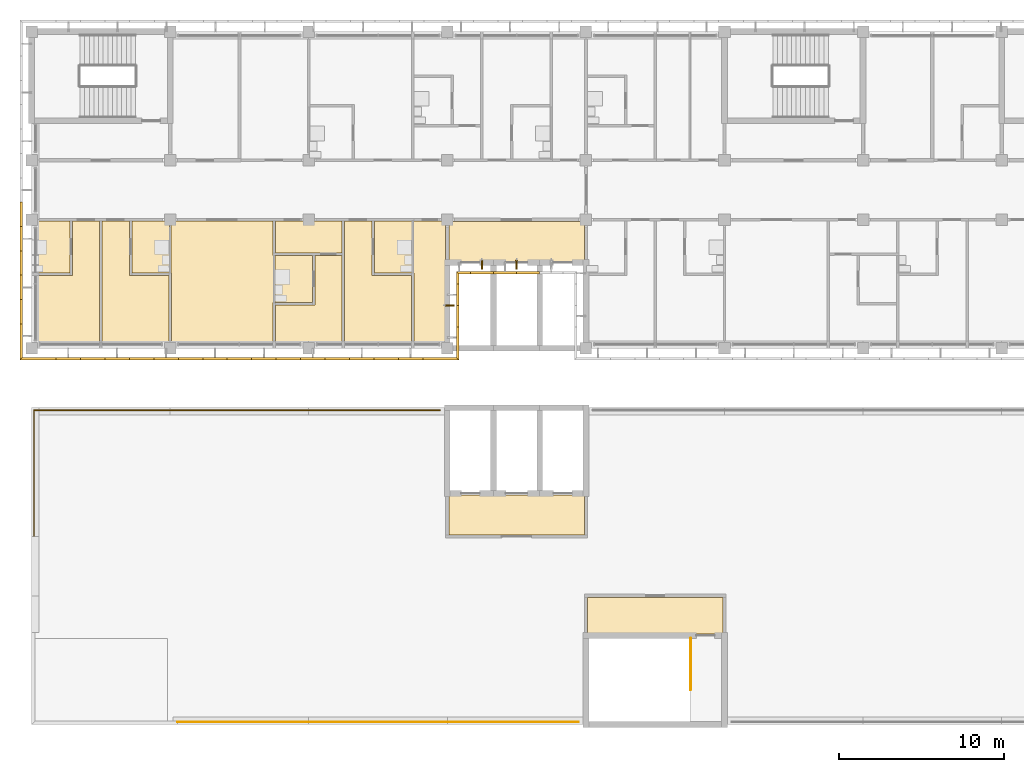
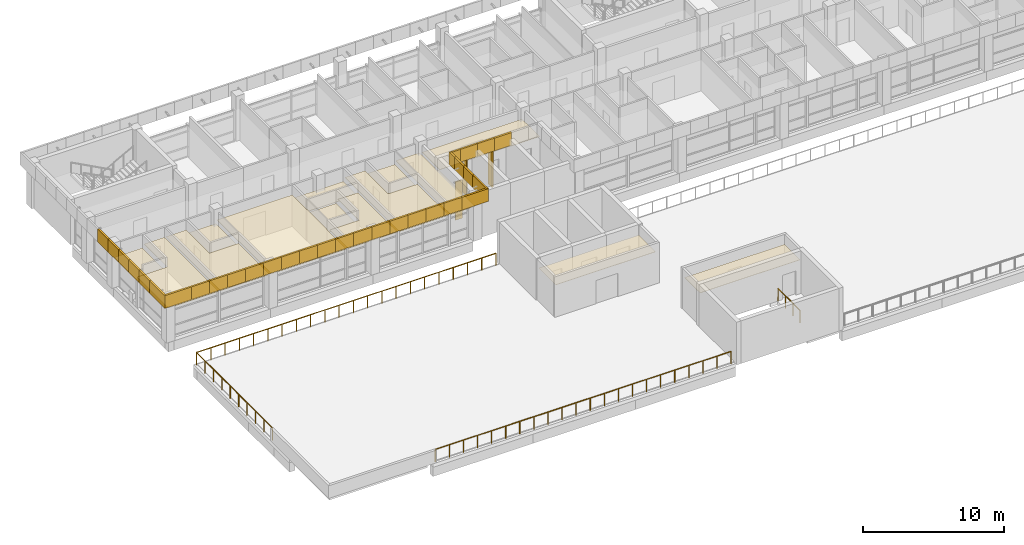
# One storey, part 37 of 46: 45 coverings, 3 railings, 3 shading devices.
"""IFC4 building model written with IfcOpenShell, lengths in metres."""

from ifc_helpers import new_model, si_unit, direction, frame, origin, origin_2d, place, context, subcontext, project, spatial, polyline, rectangle, circle, outline, extrude, material, layer, layer_set, material_profile, profile_set, type_object, element, save


model = new_model("IFC4")

# Units and contexts
model_context = context("Model", 3, precision=1e-05, world=origin(), true_north=direction((0.0, 1.0)))
body_context = subcontext(model_context, "Body", "Model", "MODEL_VIEW")
ifc_project = project(units=[si_unit("LENGTHUNIT", "METRE"), si_unit("AREAUNIT", "SQUARE_METRE"), si_unit("VOLUMEUNIT", "CUBIC_METRE"), si_unit("PLANEANGLEUNIT", "RADIAN"), si_unit("MASSUNIT", "GRAM", prefix="KILO")], contexts=[model_context])

# Site, building, storey
site_placement = place(None, origin())
site = spatial("IfcSite", under=ifc_project, at=site_placement, CompositionType="ELEMENT")
building_placement = place(site_placement, origin())
building = spatial("IfcBuilding", under=site, at=building_placement, Name="Bougainvillea Quay General Hospital", CompositionType="ELEMENT")
storey_placement = place(building_placement, frame((0.0, 0.0, 28.800048828125)))
storey = spatial("IfcBuildingStorey", under=building, at=storey_placement, Name="L06", CompositionType="ELEMENT", Elevation=28.800048828125)

# Coverings
ifc_material_1 = material(Name="Powder-coated aluminium fascia, white", Category="aluminium")
ifc_layer_1 = layer(ifc_material_1, 0.14990234375)
ifc_layer_set_1 = layer_set([ifc_layer_1], Name="Powder-coated aluminium fascia, white")
covering_type_1 = type_object("IfcCoveringType", Name="Aluminium fascia band white 150x1100", PredefinedType="CLADDING", material=ifc_layer_set_1)
covering_1_placement = place(storey_placement, frame((41.449951171875, 149.261474609375, 3.349853515625), z_axis=(0.0, 0.0, 1.0), x_axis=(0.0, -1.0, 0.0)))
element("IfcCovering", 1, at=covering_1_placement, inside=storey, type_object=covering_type_1, Name="Fascia band white e0 104", PredefinedType="CLADDING", context=body_context, shape_type="SweptSolid", body=[
    extrude(outline(polyline([(0.0, 0.0), (1.476806640625, 0.0), (1.476806640625, -0.14990234375), (0.0, -0.14990234375), (0.0, 0.0)])), origin(), (0.0, 0.0, 1.0), 1.10009765625),
])
covering_2_placement = place(storey_placement, frame((41.449951171875, 147.78466796875, 3.349853515625), z_axis=(0.0, 0.0, 1.0), x_axis=(0.0, -1.0, 0.0)))
element("IfcCovering", 2, at=covering_2_placement, inside=storey, type_object=covering_type_1, Name="Fascia band white e0 105", PredefinedType="CLADDING", context=body_context, shape_type="SweptSolid", body=[
    extrude(outline(polyline([(0.0, 0.0), (1.47705078125, 0.0), (1.47705078125, -0.14990234375), (0.0, -0.14990234375), (0.0, 0.0)])), origin(), (0.0, 0.0, 1.0), 1.10009765625),
])
covering_3_placement = place(storey_placement, frame((41.449951171875, 146.3076171875, 3.349853515625), z_axis=(0.0, 0.0, 1.0), x_axis=(0.0, -1.0, 0.0)))
element("IfcCovering", 3, at=covering_3_placement, inside=storey, type_object=covering_type_1, Name="Fascia band white e0 106", PredefinedType="CLADDING", context=body_context, shape_type="SweptSolid", body=[
    extrude(outline(polyline([(0.0, 0.0), (1.476806640625, 0.0), (1.476806640625, -0.14990234375), (0.0, -0.14990234375), (0.0, 0.0)])), origin(), (0.0, 0.0, 1.0), 1.10009765625),
])
covering_4_placement = place(storey_placement, frame((41.449951171875, 144.830810546875, 3.349853515625), z_axis=(0.0, 0.0, 1.0), x_axis=(0.0, -1.0, 0.0)))
element("IfcCovering", 4, at=covering_4_placement, inside=storey, type_object=covering_type_1, Name="Fascia band white e0 107", PredefinedType="CLADDING", context=body_context, shape_type="SweptSolid", body=[
    extrude(outline(polyline([(0.0, 0.0), (1.47705078125, 0.0), (1.47705078125, -0.14990234375), (0.0, -0.14990234375), (0.0, 0.0)])), origin(), (0.0, 0.0, 1.0), 1.10009765625),
])
covering_5_placement = place(storey_placement, frame((41.449951171875, 143.353759765625, 3.349853515625), z_axis=(0.0, 0.0, 1.0), x_axis=(0.0, -1.0, 0.0)))
element("IfcCovering", 5, at=covering_5_placement, inside=storey, type_object=covering_type_1, Name="Fascia band white e0 108", PredefinedType="CLADDING", context=body_context, shape_type="SweptSolid", body=[
    extrude(outline(polyline([(0.0, 0.0), (1.476806640625, 0.0), (1.476806640625, -0.14990234375), (0.0, -0.14990234375), (0.0, 0.0)])), origin(), (0.0, 0.0, 1.0), 1.10009765625),
])
covering_6_placement = place(storey_placement, frame((41.449951171875, 141.876953125, 3.349853515625), z_axis=(0.0, 0.0, 1.0), x_axis=(0.0, -1.0, 0.0)))
element("IfcCovering", 6, at=covering_6_placement, inside=storey, type_object=covering_type_1, Name="Fascia band white e0 109", PredefinedType="CLADDING", context=body_context, shape_type="SweptSolid", body=[
    extrude(outline(polyline([(0.0, 0.0), (2.02685546875, 0.0), (2.177001953125, -0.14990234375), (0.0, -0.14990234375), (0.0, 0.0)])), origin(), (0.0, 0.0, 1.0), 1.10009765625),
])
covering_7_placement = place(storey_placement, frame((41.449951171875, 139.85009765625, 3.349853515625), z_axis=(0.0, 0.0, 1.0), x_axis=(1.0, 0.0, 0.0)))
element("IfcCovering", 7, at=covering_7_placement, inside=storey, type_object=covering_type_1, Name="Fascia band white e0 110", PredefinedType="CLADDING", context=body_context, shape_type="SweptSolid", body=[
    extrude(outline(polyline([(0.0, 0.0), (2.032470703125, 0.0), (2.032470703125, -0.150146484375), (-0.14990234375, -0.150146484375), (0.0, 0.0)])), origin(), (0.0, 0.0, 1.0), 1.10009765625),
])
covering_8_placement = place(storey_placement, frame((43.482421875, 139.85009765625, 3.349853515625), z_axis=(0.0, 0.0, 1.0), x_axis=(1.0, 0.0, 0.0)))
element("IfcCovering", 8, at=covering_8_placement, inside=storey, type_object=covering_type_1, Name="Fascia band white e0 111", PredefinedType="CLADDING", context=body_context, shape_type="SweptSolid", body=[
    extrude(outline(polyline([(0.0, 0.0), (1.482177734375, 0.0), (1.482177734375, -0.150146484375), (0.0, -0.150146484375), (0.0, 0.0)])), origin(), (0.0, 0.0, 1.0), 1.10009765625),
])
for number, where, z_axis, x_axis, name in (
    (9, (44.964599609375, 139.85009765625, 3.349853515625), (0.0, 0.0, 1.0), (1.0, 0.0, 0.0), "Fascia band white e0 112"),
    (10, (46.447021484375, 139.85009765625, 3.349853515625), (0.0, 0.0, 1.0), (1.0, 0.0, 0.0), "Fascia band white e0 113"),
    (11, (47.929443359375, 139.85009765625, 3.349853515625), (0.0, 0.0, 1.0), (1.0, 0.0, 0.0), "Fascia band white e0 114"),
):
    element("IfcCovering", number, at=place(storey_placement, frame(where, z_axis=z_axis, x_axis=x_axis)), inside=storey, type_object=covering_type_1, Name=name, PredefinedType="CLADDING", context=body_context, shape_type="SweptSolid", body=[
        extrude(outline(polyline([(0.0, 0.0), (1.482421875, 0.0), (1.482421875, -0.150146484375), (0.0, -0.150146484375), (0.0, 0.0)])), origin(), (0.0, 0.0, 1.0), 1.10009765625),
    ])
covering_9_placement = place(storey_placement, frame((49.411865234375, 139.85009765625, 3.349853515625), z_axis=(0.0, 0.0, 1.0), x_axis=(1.0, 0.0, 0.0)))
element("IfcCovering", 12, at=covering_9_placement, inside=storey, type_object=covering_type_1, Name="Fascia band white e0 115", PredefinedType="CLADDING", context=body_context, shape_type="SweptSolid", body=[
    extrude(outline(polyline([(0.0, 0.0), (1.482177734375, 0.0), (1.482177734375, -0.150146484375), (0.0, -0.150146484375), (0.0, 0.0)])), origin(), (0.0, 0.0, 1.0), 1.10009765625),
])
for number, where, z_axis, x_axis, name in (
    (13, (50.89404296875, 139.85009765625, 3.349853515625), (0.0, 0.0, 1.0), (1.0, 0.0, 0.0), "Fascia band white e0 116"),
    (14, (52.37646484375, 139.85009765625, 3.349853515625), (0.0, 0.0, 1.0), (1.0, 0.0, 0.0), "Fascia band white e0 117"),
):
    element("IfcCovering", number, at=place(storey_placement, frame(where, z_axis=z_axis, x_axis=x_axis)), inside=storey, type_object=covering_type_1, Name=name, PredefinedType="CLADDING", context=body_context, shape_type="SweptSolid", body=[
        extrude(outline(polyline([(0.0, 0.0), (1.482421875, 0.0), (1.482421875, -0.150146484375), (0.0, -0.150146484375), (0.0, 0.0)])), origin(), (0.0, 0.0, 1.0), 1.10009765625),
    ])
covering_10_placement = place(storey_placement, frame((53.85888671875, 139.85009765625, 3.349853515625), z_axis=(0.0, 0.0, 1.0), x_axis=(1.0, 0.0, 0.0)))
element("IfcCovering", 15, at=covering_10_placement, inside=storey, type_object=covering_type_1, Name="Fascia band white e0 118", PredefinedType="CLADDING", context=body_context, shape_type="SweptSolid", body=[
    extrude(outline(polyline([(0.0, 0.0), (1.482177734375, 0.0), (1.482177734375, -0.150146484375), (0.0, -0.150146484375), (0.0, 0.0)])), origin(), (0.0, 0.0, 1.0), 1.10009765625),
])
for number, where, z_axis, x_axis, name in (
    (16, (55.341064453125, 139.85009765625, 3.349853515625), (0.0, 0.0, 1.0), (1.0, 0.0, 0.0), "Fascia band white e0 119"),
    (17, (56.823486328125, 139.85009765625, 3.349853515625), (0.0, 0.0, 1.0), (1.0, 0.0, 0.0), "Fascia band white e0 120"),
    (18, (58.305908203125, 139.85009765625, 3.349853515625), (0.0, 0.0, 1.0), (1.0, 0.0, 0.0), "Fascia band white e0 121"),
):
    element("IfcCovering", number, at=place(storey_placement, frame(where, z_axis=z_axis, x_axis=x_axis)), inside=storey, type_object=covering_type_1, Name=name, PredefinedType="CLADDING", context=body_context, shape_type="SweptSolid", body=[
        extrude(outline(polyline([(0.0, 0.0), (1.482421875, 0.0), (1.482421875, -0.150146484375), (0.0, -0.150146484375), (0.0, 0.0)])), origin(), (0.0, 0.0, 1.0), 1.10009765625),
    ])
covering_11_placement = place(storey_placement, frame((59.788330078125, 139.85009765625, 3.349853515625), z_axis=(0.0, 0.0, 1.0), x_axis=(1.0, 0.0, 0.0)))
element("IfcCovering", 19, at=covering_11_placement, inside=storey, type_object=covering_type_1, Name="Fascia band white e0 122", PredefinedType="CLADDING", context=body_context, shape_type="SweptSolid", body=[
    extrude(outline(polyline([(0.0, 0.0), (1.482177734375, 0.0), (1.482177734375, -0.150146484375), (0.0, -0.150146484375), (0.0, 0.0)])), origin(), (0.0, 0.0, 1.0), 1.10009765625),
])
for number, where, z_axis, x_axis, name in (
    (20, (61.2705078125, 139.85009765625, 3.349853515625), (0.0, 0.0, 1.0), (1.0, 0.0, 0.0), "Fascia band white e0 123"),
    (21, (62.7529296875, 139.85009765625, 3.349853515625), (0.0, 0.0, 1.0), (1.0, 0.0, 0.0), "Fascia band white e0 124"),
):
    element("IfcCovering", number, at=place(storey_placement, frame(where, z_axis=z_axis, x_axis=x_axis)), inside=storey, type_object=covering_type_1, Name=name, PredefinedType="CLADDING", context=body_context, shape_type="SweptSolid", body=[
        extrude(outline(polyline([(0.0, 0.0), (1.482421875, 0.0), (1.482421875, -0.150146484375), (0.0, -0.150146484375), (0.0, 0.0)])), origin(), (0.0, 0.0, 1.0), 1.10009765625),
    ])
covering_12_placement = place(storey_placement, frame((64.2353515625, 139.85009765625, 3.349853515625), z_axis=(0.0, 0.0, 1.0), x_axis=(1.0, 0.0, 0.0)))
element("IfcCovering", 22, at=covering_12_placement, inside=storey, type_object=covering_type_1, Name="Fascia band white e0 125", PredefinedType="CLADDING", context=body_context, shape_type="SweptSolid", body=[
    extrude(outline(polyline([(0.0, 0.0), (1.482177734375, 0.0), (1.482177734375, -0.150146484375), (0.0, -0.150146484375), (0.0, 0.0)])), origin(), (0.0, 0.0, 1.0), 1.10009765625),
])
covering_13_placement = place(storey_placement, frame((65.717529296875, 139.85009765625, 3.349853515625), z_axis=(0.0, 0.0, 1.0), x_axis=(1.0, 0.0, 0.0)))
element("IfcCovering", 23, at=covering_13_placement, inside=storey, type_object=covering_type_1, Name="Fascia band white e0 126", PredefinedType="CLADDING", context=body_context, shape_type="SweptSolid", body=[
    extrude(outline(polyline([(0.0, 0.0), (2.032470703125, 0.0), (2.182373046875, -0.150146484375), (0.0, -0.150146484375), (0.0, 0.0)])), origin(), (0.0, 0.0, 1.0), 1.10009765625),
])
covering_14_placement = place(storey_placement, frame((67.75, 139.85009765625, 3.349853515625), z_axis=(0.0, 0.0, 1.0), x_axis=(0.0, 1.0, 0.0)))
element("IfcCovering", 24, at=covering_14_placement, inside=storey, type_object=covering_type_1, Name="Fascia band white e0 127", PredefinedType="CLADDING", context=body_context, shape_type="SweptSolid", body=[
    extrude(outline(polyline([(0.0, 0.0), (1.849853515625, 0.0), (1.849853515625, -0.14990234375), (-0.150146484375, -0.14990234375), (0.0, 0.0)])), origin(), (0.0, 0.0, 1.0), 1.10009765625),
])
for number, where, z_axis, x_axis, name in (
    (25, (67.75, 141.699951171875, 3.349853515625), (0.0, 0.0, 1.0), (0.0, 1.0, 0.0), "Fascia band white e0 128"),
    (26, (67.75, 143.0, 3.349853515625), (0.0, 0.0, 1.0), (0.0, 1.0, 0.0), "Fascia band white e0 129"),
):
    element("IfcCovering", number, at=place(storey_placement, frame(where, z_axis=z_axis, x_axis=x_axis)), inside=storey, type_object=covering_type_1, Name=name, PredefinedType="CLADDING", context=body_context, shape_type="SweptSolid", body=[
        extrude(outline(polyline([(0.0, 0.0), (1.300048828125, 0.0), (1.300048828125, -0.14990234375), (0.0, -0.14990234375), (0.0, 0.0)])), origin(), (0.0, 0.0, 1.0), 1.10009765625),
    ])
covering_15_placement = place(storey_placement, frame((67.75, 144.300048828125, 3.349853515625), z_axis=(0.0, 0.0, 1.0), x_axis=(0.0, 1.0, 0.0)))
element("IfcCovering", 27, at=covering_15_placement, inside=storey, type_object=covering_type_1, Name="Fascia band white e0 130", PredefinedType="CLADDING", context=body_context, shape_type="SweptSolid", body=[
    extrude(outline(polyline([(0.0, 0.0), (0.75, 0.0), (0.599853515625, -0.14990234375), (0.0, -0.14990234375), (0.0, 0.0)])), origin(), (0.0, 0.0, 1.0), 1.10009765625),
])
covering_16_placement = place(storey_placement, frame((67.75, 145.050048828125, 3.349853515625), z_axis=(0.0, 0.0, 1.0), x_axis=(1.0, 0.0, 0.0)))
element("IfcCovering", 28, at=covering_16_placement, inside=storey, type_object=covering_type_1, Name="Fascia band white e0 131", PredefinedType="CLADDING", context=body_context, shape_type="SweptSolid", body=[
    extrude(outline(polyline([(0.0, 0.0), (0.85009765625, 0.0), (0.85009765625, -0.150146484375), (0.14990234375, -0.150146484375), (0.0, 0.0)])), origin(), (0.0, 0.0, 1.0), 1.10009765625),
])
for number, where, z_axis, x_axis, name in (
    (29, (68.60009765625, 145.050048828125, 3.349853515625), (0.0, 0.0, 1.0), (1.0, 0.0, 0.0), "Fascia band white e0 132"),
    (30, (70.0, 145.050048828125, 3.349853515625), (0.0, 0.0, 1.0), (1.0, 0.0, 0.0), "Fascia band white e0 133"),
):
    element("IfcCovering", number, at=place(storey_placement, frame(where, z_axis=z_axis, x_axis=x_axis)), inside=storey, type_object=covering_type_1, Name=name, PredefinedType="CLADDING", context=body_context, shape_type="SweptSolid", body=[
        extrude(outline(polyline([(0.0, 0.0), (1.39990234375, 0.0), (1.39990234375, -0.150146484375), (0.0, -0.150146484375), (0.0, 0.0)])), origin(), (0.0, 0.0, 1.0), 1.10009765625),
    ])
covering_17_placement = place(storey_placement, frame((71.39990234375, 145.050048828125, 3.349853515625), z_axis=(0.0, 0.0, 1.0), x_axis=(1.0, 0.0, 0.0)))
element("IfcCovering", 31, at=covering_17_placement, inside=storey, type_object=covering_type_1, Name="Fascia band white e0 134", PredefinedType="CLADDING", context=body_context, shape_type="SweptSolid", body=[
    extrude(outline(polyline([(0.0, 0.0), (1.400146484375, 0.0), (1.400146484375, -0.150146484375), (0.0, -0.150146484375), (0.0, 0.0)])), origin(), (0.0, 0.0, 1.0), 1.10009765625),
])

# Railings
ifc_material_2 = material(Name="Stainless steel guard, brushed grade 316", Category="steel")
railing_type_1 = type_object("IfcRailingType", Name="Stainless steel guard 1100", PredefinedType="GUARDRAIL", material=ifc_material_2)
railing_1_placement = place(storey_placement, frame((75.14990234375, 117.75, 0.0)))
element("IfcRailing", 32, at=railing_1_placement, inside=storey, type_object=railing_type_1, Name="Guard G03", PredefinedType="GUARDRAIL", context=body_context, shape_type="SweptSolid", body=[
    extrude(circle(Radius=0.02392578125, at=origin_2d()), frame((0.0, 0.0, 1.076171875), z_axis=(-1.0, 0.0, 0.0), x_axis=(0.0, -1.0, 0.0)), (0.0, 0.0, 1.0), 24.2998046875),
    extrude(circle(Radius=0.02099609375, at=origin_2d()), origin(), (0.0, 0.0, 1.0), 1.052001953125),
    extrude(circle(Radius=0.02099609375, at=origin_2d()), frame((-1.1572265625, 0.0, 0.0)), (0.0, 0.0, 1.0), 1.052001953125),
    extrude(circle(Radius=0.02099609375, at=origin_2d()), frame((-2.314208984375, 0.0, 0.0)), (0.0, 0.0, 1.0), 1.052001953125),
    extrude(circle(Radius=0.02099609375, at=origin_2d()), frame((-3.471435546875, 0.0, 0.0)), (0.0, 0.0, 1.0), 1.052001953125),
    extrude(circle(Radius=0.02099609375, at=origin_2d()), frame((-4.62841796875, 0.0, 0.0)), (0.0, 0.0, 1.0), 1.052001953125),
    extrude(circle(Radius=0.02099609375, at=origin_2d()), frame((-5.78564453125, 0.0, 0.0)), (0.0, 0.0, 1.0), 1.052001953125),
    extrude(circle(Radius=0.02099609375, at=origin_2d()), frame((-6.94287109375, 0.0, 0.0)), (0.0, 0.0, 1.0), 1.052001953125),
    extrude(circle(Radius=0.02099609375, at=origin_2d()), frame((-8.099853515625, 0.0, 0.0)), (0.0, 0.0, 1.0), 1.052001953125),
    extrude(circle(Radius=0.02099609375, at=origin_2d()), frame((-9.257080078125, 0.0, 0.0)), (0.0, 0.0, 1.0), 1.052001953125),
    extrude(circle(Radius=0.02099609375, at=origin_2d()), frame((-10.414306640625, 0.0, 0.0)), (0.0, 0.0, 1.0), 1.052001953125),
    extrude(circle(Radius=0.02099609375, at=origin_2d()), frame((-11.5712890625, 0.0, 0.0)), (0.0, 0.0, 1.0), 1.052001953125),
    extrude(circle(Radius=0.02099609375, at=origin_2d()), frame((-12.728515625, 0.0, 0.0)), (0.0, 0.0, 1.0), 1.052001953125),
    extrude(circle(Radius=0.02099609375, at=origin_2d()), frame((-13.885498046875, 0.0, 0.0)), (0.0, 0.0, 1.0), 1.052001953125),
    extrude(circle(Radius=0.02099609375, at=origin_2d()), frame((-15.042724609375, 0.0, 0.0)), (0.0, 0.0, 1.0), 1.052001953125),
    extrude(circle(Radius=0.02099609375, at=origin_2d()), frame((-16.199951171875, 0.0, 0.0)), (0.0, 0.0, 1.0), 1.052001953125),
    extrude(circle(Radius=0.02099609375, at=origin_2d()), frame((-17.35693359375, 0.0, 0.0)), (0.0, 0.0, 1.0), 1.052001953125),
    extrude(circle(Radius=0.02099609375, at=origin_2d()), frame((-18.51416015625, 0.0, 0.0)), (0.0, 0.0, 1.0), 1.052001953125),
    extrude(circle(Radius=0.02099609375, at=origin_2d()), frame((-19.67138671875, 0.0, 0.0)), (0.0, 0.0, 1.0), 1.052001953125),
    extrude(circle(Radius=0.02099609375, at=origin_2d()), frame((-20.828369140625, 0.0, 0.0)), (0.0, 0.0, 1.0), 1.052001953125),
    extrude(circle(Radius=0.02099609375, at=origin_2d()), frame((-21.985595703125, 0.0, 0.0)), (0.0, 0.0, 1.0), 1.052001953125),
    extrude(circle(Radius=0.02099609375, at=origin_2d()), frame((-23.142578125, 0.0, 0.0)), (0.0, 0.0, 1.0), 1.052001953125),
    extrude(circle(Radius=0.02099609375, at=origin_2d()), frame((-24.2998046875, 0.0, 0.0)), (0.0, 0.0, 1.0), 1.052001953125),
])
railing_2_placement = place(storey_placement, frame((42.14990234375, 125.85009765625, 0.0)))
element("IfcRailing", 33, at=railing_2_placement, inside=storey, type_object=railing_type_1, Name="Guard G04", PredefinedType="GUARDRAIL", context=body_context, shape_type="SweptSolid", body=[
    extrude(circle(Radius=0.02392578125, at=origin_2d()), frame((0.0, 0.0, 1.076171875), z_axis=(0.0, 1.0, 0.0), x_axis=(-1.0, 0.0, 0.0)), (0.0, 0.0, 1.0), 10.7998046875),
    extrude(circle(Radius=0.02392578125, at=origin_2d()), frame((0.0, 10.7998046875, 1.076171875), z_axis=(1.0, 0.0, 0.0), x_axis=(0.0, 1.0, 0.0)), (0.0, 0.0, 1.0), 24.60009765625),
    extrude(circle(Radius=0.02099609375, at=origin_2d()), origin(), (0.0, 0.0, 1.0), 1.052001953125),
    extrude(circle(Radius=0.02099609375, at=origin_2d()), frame((0.0, 1.199951171875, 0.0)), (0.0, 0.0, 1.0), 1.052001953125),
    extrude(circle(Radius=0.02099609375, at=origin_2d()), frame((0.0, 2.39990234375, 0.0)), (0.0, 0.0, 1.0), 1.052001953125),
    extrude(circle(Radius=0.02099609375, at=origin_2d()), frame((0.0, 3.599853515625, 0.0)), (0.0, 0.0, 1.0), 1.052001953125),
    extrude(circle(Radius=0.02099609375, at=origin_2d()), frame((0.0, 4.7998046875, 0.0)), (0.0, 0.0, 1.0), 1.052001953125),
    extrude(circle(Radius=0.02099609375, at=origin_2d()), frame((0.0, 6.0, 0.0)), (0.0, 0.0, 1.0), 1.052001953125),
    extrude(circle(Radius=0.02099609375, at=origin_2d()), frame((0.0, 7.199951171875, 0.0)), (0.0, 0.0, 1.0), 1.052001953125),
    extrude(circle(Radius=0.02099609375, at=origin_2d()), frame((0.0, 8.39990234375, 0.0)), (0.0, 0.0, 1.0), 1.052001953125),
    extrude(circle(Radius=0.02099609375, at=origin_2d()), frame((0.0, 9.599853515625, 0.0)), (0.0, 0.0, 1.0), 1.052001953125),
    extrude(circle(Radius=0.02099609375, at=origin_2d()), frame((0.0, 10.7998046875, 0.0)), (0.0, 0.0, 1.0), 1.052001953125),
    extrude(circle(Radius=0.02099609375, at=origin_2d()), frame((1.17138671875, 10.7998046875, 0.0)), (0.0, 0.0, 1.0), 1.052001953125),
    extrude(circle(Radius=0.02099609375, at=origin_2d()), frame((2.3427734375, 10.7998046875, 0.0)), (0.0, 0.0, 1.0), 1.052001953125),
    extrude(circle(Radius=0.02099609375, at=origin_2d()), frame((3.514404296875, 10.7998046875, 0.0)), (0.0, 0.0, 1.0), 1.052001953125),
    extrude(circle(Radius=0.02099609375, at=origin_2d()), frame((4.685791015625, 10.7998046875, 0.0)), (0.0, 0.0, 1.0), 1.052001953125),
    extrude(circle(Radius=0.02099609375, at=origin_2d()), frame((5.857177734375, 10.7998046875, 0.0)), (0.0, 0.0, 1.0), 1.052001953125),
    extrude(circle(Radius=0.02099609375, at=origin_2d()), frame((7.028564453125, 10.7998046875, 0.0)), (0.0, 0.0, 1.0), 1.052001953125),
    extrude(circle(Radius=0.02099609375, at=origin_2d()), frame((8.199951171875, 10.7998046875, 0.0)), (0.0, 0.0, 1.0), 1.052001953125),
    extrude(circle(Radius=0.02099609375, at=origin_2d()), frame((9.37158203125, 10.7998046875, 0.0)), (0.0, 0.0, 1.0), 1.052001953125),
    extrude(circle(Radius=0.02099609375, at=origin_2d()), frame((10.54296875, 10.7998046875, 0.0)), (0.0, 0.0, 1.0), 1.052001953125),
    extrude(circle(Radius=0.02099609375, at=origin_2d()), frame((11.71435546875, 10.7998046875, 0.0)), (0.0, 0.0, 1.0), 1.052001953125),
    extrude(circle(Radius=0.02099609375, at=origin_2d()), frame((12.8857421875, 10.7998046875, 0.0)), (0.0, 0.0, 1.0), 1.052001953125),
    extrude(circle(Radius=0.02099609375, at=origin_2d()), frame((14.05712890625, 10.7998046875, 0.0)), (0.0, 0.0, 1.0), 1.052001953125),
    extrude(circle(Radius=0.02099609375, at=origin_2d()), frame((15.228515625, 10.7998046875, 0.0)), (0.0, 0.0, 1.0), 1.052001953125),
    extrude(circle(Radius=0.02099609375, at=origin_2d()), frame((16.400146484375, 10.7998046875, 0.0)), (0.0, 0.0, 1.0), 1.052001953125),
    extrude(circle(Radius=0.02099609375, at=origin_2d()), frame((17.571533203125, 10.7998046875, 0.0)), (0.0, 0.0, 1.0), 1.052001953125),
    extrude(circle(Radius=0.02099609375, at=origin_2d()), frame((18.742919921875, 10.7998046875, 0.0)), (0.0, 0.0, 1.0), 1.052001953125),
    extrude(circle(Radius=0.02099609375, at=origin_2d()), frame((19.914306640625, 10.7998046875, 0.0)), (0.0, 0.0, 1.0), 1.052001953125),
    extrude(circle(Radius=0.02099609375, at=origin_2d()), frame((21.085693359375, 10.7998046875, 0.0)), (0.0, 0.0, 1.0), 1.052001953125),
    extrude(circle(Radius=0.02099609375, at=origin_2d()), frame((22.25732421875, 10.7998046875, 0.0)), (0.0, 0.0, 1.0), 1.052001953125),
    extrude(circle(Radius=0.02099609375, at=origin_2d()), frame((23.4287109375, 10.7998046875, 0.0)), (0.0, 0.0, 1.0), 1.052001953125),
    extrude(circle(Radius=0.02099609375, at=origin_2d()), frame((24.60009765625, 10.7998046875, 0.0)), (0.0, 0.0, 1.0), 1.052001953125),
])
ifc_material_3 = material(Name="Stainless steel 304 balustrade", Category="steel")
railing_type_2 = type_object("IfcRailingType", Name="Stair guard 1100", PredefinedType="GUARDRAIL", material=ifc_material_3)
railing_3_placement = place(storey_placement, frame((81.949951171875, 122.824951171875, 0.0)))
element("IfcRailing", 34, at=railing_3_placement, inside=storey, type_object=railing_type_2, Name="L06 ST-B2 top well guard 1", PredefinedType="GUARDRAIL", context=body_context, shape_type="SweptSolid", body=[
    extrude(circle(Radius=0.02392578125, at=origin_2d()), frame((0.0, 0.0, 1.076171875), z_axis=(0.0, -1.0, 0.0), x_axis=(1.0, 0.0, 0.0)), (0.0, 0.0, 1.0), 3.125),
    extrude(circle(Radius=0.02099609375, at=origin_2d()), origin(), (0.0, 0.0, 1.0), 1.052001953125),
    extrude(circle(Radius=0.02099609375, at=origin_2d()), frame((0.0, -1.041748046875, 0.0)), (0.0, 0.0, 1.0), 1.052001953125),
    extrude(circle(Radius=0.02099609375, at=origin_2d()), frame((0.0, -2.083251953125, 0.0)), (0.0, 0.0, 1.0), 1.052001953125),
    extrude(circle(Radius=0.02099609375, at=origin_2d()), frame((0.0, -3.125, 0.0)), (0.0, 0.0, 1.0), 1.052001953125),
])

# Coverings
ifc_material_4 = material(Name="Mineral fibre ceiling tile")
ifc_layer_2 = layer(ifc_material_4, 0.030029296875)
ifc_layer_set_2 = layer_set([ifc_layer_2], Name="Mineral fibre ceiling tile")
covering_type_2 = type_object("IfcCoveringType", Name="Suspended ceiling mineral fibre tile", PredefinedType="CEILING", material=ifc_layer_set_2)
covering_18_placement = place(storey_placement, frame((0.0, 0.0, 2.699951171875)))
element("IfcCovering", 35, at=covering_18_placement, inside=storey, type_object=covering_type_2, Name="Ceiling Lift Lobby LB-A1 (Fire-fighting)", PredefinedType="CEILING", context=body_context, shape_type="SweptSolid", body=[
    extrude(outline(polyline([(75.5, 145.60009765625), (75.5, 148.10009765625), (67.300048828125, 148.10009765625), (67.300048828125, 145.60009765625), (75.5, 145.60009765625)])), origin(), (0.0, 0.0, 1.0), 0.030029296875),
])
covering_19_placement = place(storey_placement, frame((0.0, 0.0, 2.699951171875)))
element("IfcCovering", 36, at=covering_19_placement, inside=storey, type_object=covering_type_2, Name="Ceiling Lift Lobby LB-B1 (Fire-fighting)", PredefinedType="CEILING", context=body_context, shape_type="SweptSolid", body=[
    extrude(outline(polyline([(75.5, 129.10009765625), (75.5, 131.5), (67.300048828125, 131.5), (67.300048828125, 129.10009765625), (75.5, 129.10009765625)])), origin(), (0.0, 0.0, 1.0), 0.030029296875),
])
covering_20_placement = place(storey_placement, frame((0.0, 0.0, 2.699951171875)))
element("IfcCovering", 37, at=covering_20_placement, inside=storey, type_object=covering_type_2, Name="Ceiling Smoke-proof Vestibule ST-B2", PredefinedType="CEILING", context=body_context, shape_type="SweptSolid", body=[
    extrude(outline(polyline([(75.699951171875, 123.10009765625), (83.89990234375, 123.10009765625), (83.89990234375, 125.300048828125), (75.699951171875, 125.300048828125), (75.699951171875, 123.10009765625)])), origin(), (0.0, 0.0, 1.0), 0.030029296875),
])
covering_21_placement = place(storey_placement, frame((0.0, 0.0, 2.699951171875)))
element("IfcCovering", 38, at=covering_21_placement, inside=storey, type_object=covering_type_2, Name="Ceiling Oncology Patient Room 06A01", PredefinedType="CEILING", context=body_context, shape_type="SweptSolid", body=[
    extrude(outline(polyline([(46.125, 140.39990234375), (46.125, 148.125), (44.47509765625, 148.125), (44.47509765625, 144.824951171875), (42.0, 144.824951171875), (42.0, 140.39990234375), (46.125, 140.39990234375)])), origin(), (0.0, 0.0, 1.0), 0.030029296875),
])
covering_22_placement = place(storey_placement, frame((0.0, 0.0, 2.39990234375)))
element("IfcCovering", 39, at=covering_22_placement, inside=storey, type_object=covering_type_2, Name="Ceiling En-suite 06A01", PredefinedType="CEILING", context=body_context, shape_type="SweptSolid", body=[
    extrude(outline(polyline([(42.0, 144.97509765625), (44.324951171875, 144.97509765625), (44.324951171875, 148.125), (42.0, 148.125), (42.0, 144.97509765625)])), origin(), (0.0, 0.0, 1.0), 0.030029296875),
])
covering_23_placement = place(storey_placement, frame((0.0, 0.0, 2.699951171875)))
element("IfcCovering", 40, at=covering_23_placement, inside=storey, type_object=covering_type_2, Name="Ceiling Oncology Patient Room 06A02", PredefinedType="CEILING", context=body_context, shape_type="SweptSolid", body=[
    extrude(outline(polyline([(50.324951171875, 140.39990234375), (50.324951171875, 144.824951171875), (47.925048828125, 144.824951171875), (47.925048828125, 148.125), (46.27490234375, 148.125), (46.27490234375, 140.39990234375), (50.324951171875, 140.39990234375)])), origin(), (0.0, 0.0, 1.0), 0.030029296875),
])
covering_24_placement = place(storey_placement, frame((0.0, 0.0, 2.39990234375)))
element("IfcCovering", 41, at=covering_24_placement, inside=storey, type_object=covering_type_2, Name="Ceiling En-suite 06A02", PredefinedType="CEILING", context=body_context, shape_type="SweptSolid", body=[
    extrude(outline(polyline([(48.074951171875, 148.125), (48.074951171875, 144.97509765625), (50.35009765625, 144.97509765625), (50.35009765625, 148.125), (48.074951171875, 148.125)])), origin(), (0.0, 0.0, 1.0), 0.030029296875),
])
covering_25_placement = place(storey_placement, frame((0.0, 0.0, 2.699951171875)))
element("IfcCovering", 42, at=covering_25_placement, inside=storey, type_object=covering_type_2, Name="Ceiling Nurses' Station 06A03", PredefinedType="CEILING", context=body_context, shape_type="SweptSolid", body=[
    extrude(outline(polyline([(56.625, 140.39990234375), (56.625, 143.175048828125), (56.64990234375, 143.175048828125), (56.64990234375, 146.02490234375), (56.625, 146.02490234375), (56.625, 148.125), (50.449951171875, 148.125), (50.449951171875, 144.97509765625), (50.47509765625, 144.97509765625), (50.47509765625, 140.39990234375), (56.625, 140.39990234375)])), origin(), (0.0, 0.0, 1.0), 0.030029296875),
])
covering_26_placement = place(storey_placement, frame((0.0, 0.0, 2.699951171875)))
element("IfcCovering", 43, at=covering_26_placement, inside=storey, type_object=covering_type_2, Name="Ceiling Protective Isolation Room 06A04", PredefinedType="CEILING", context=body_context, shape_type="SweptSolid", body=[
    extrude(outline(polyline([(60.824951171875, 140.39990234375), (60.824951171875, 146.02490234375), (59.175048828125, 146.02490234375), (59.175048828125, 143.02490234375), (56.77490234375, 143.02490234375), (56.77490234375, 140.39990234375), (60.824951171875, 140.39990234375)])), origin(), (0.0, 0.0, 1.0), 0.030029296875),
])
covering_27_placement = place(storey_placement, frame((0.0, 0.0, 2.39990234375)))
element("IfcCovering", 44, at=covering_27_placement, inside=storey, type_object=covering_type_2, Name="Ceiling Isolation Anteroom 06A04", PredefinedType="CEILING", context=body_context, shape_type="SweptSolid", body=[
    extrude(outline(polyline([(60.824951171875, 146.175048828125), (60.824951171875, 148.125), (56.77490234375, 148.125), (56.77490234375, 146.175048828125), (60.824951171875, 146.175048828125)])), origin(), (0.0, 0.0, 1.0), 0.030029296875),
])
covering_28_placement = place(storey_placement, frame((0.0, 0.0, 2.39990234375)))
element("IfcCovering", 45, at=covering_28_placement, inside=storey, type_object=covering_type_2, Name="Ceiling En-suite 06A04", PredefinedType="CEILING", context=body_context, shape_type="SweptSolid", body=[
    extrude(outline(polyline([(59.02490234375, 146.02490234375), (56.75, 146.02490234375), (56.75, 143.175048828125), (59.02490234375, 143.175048828125), (59.02490234375, 146.02490234375)])), origin(), (0.0, 0.0, 1.0), 0.030029296875),
])
covering_29_placement = place(storey_placement, frame((0.0, 0.0, 2.699951171875)))
element("IfcCovering", 46, at=covering_29_placement, inside=storey, type_object=covering_type_2, Name="Ceiling Oncology Patient Room 06A05", PredefinedType="CEILING", context=body_context, shape_type="SweptSolid", body=[
    extrude(outline(polyline([(65.02490234375, 140.39990234375), (65.02490234375, 144.824951171875), (62.625, 144.824951171875), (62.625, 148.125), (60.97509765625, 148.125), (60.97509765625, 140.39990234375), (65.02490234375, 140.39990234375)])), origin(), (0.0, 0.0, 1.0), 0.030029296875),
])
covering_30_placement = place(storey_placement, frame((0.0, 0.0, 2.39990234375)))
element("IfcCovering", 47, at=covering_30_placement, inside=storey, type_object=covering_type_2, Name="Ceiling En-suite 06A05", PredefinedType="CEILING", context=body_context, shape_type="SweptSolid", body=[
    extrude(outline(polyline([(62.77490234375, 148.125), (62.77490234375, 144.97509765625), (65.050048828125, 144.97509765625), (65.050048828125, 148.125), (62.77490234375, 148.125)])), origin(), (0.0, 0.0, 1.0), 0.030029296875),
])
covering_31_placement = place(storey_placement, frame((0.0, 0.0, 2.699951171875)))
element("IfcCovering", 48, at=covering_31_placement, inside=storey, type_object=covering_type_2, Name="Ceiling Dirty Utility and Sluice Room 06A06", PredefinedType="CEILING", context=body_context, shape_type="SweptSolid", body=[
    extrude(outline(polyline([(67.199951171875, 145.60009765625), (67.10009765625, 145.60009765625), (67.10009765625, 148.125), (65.14990234375, 148.125), (65.14990234375, 144.97509765625), (65.175048828125, 144.97509765625), (65.175048828125, 140.39990234375), (67.199951171875, 140.39990234375), (67.199951171875, 145.60009765625)])), origin(), (0.0, 0.0, 1.0), 0.030029296875),
])

# Shading devices
ifc_material_5 = material(Name="Powder-coated aluminium fin, white", Category="aluminium")
ifc_material_profile = material_profile(ifc_material_5, rectangle(XDim=0.550048828125, YDim=0.10009765625, at=origin_2d()))
ifc_profile_set = profile_set([ifc_material_profile], Name="Powder-coated aluminium fin, white")
shading_device_type = type_object("IfcShadingDeviceType", Name="Vertical fin 550x100", PredefinedType="USERDEFINED", material=ifc_profile_set)
for number, where, z_axis, x_axis, name in (
    (49, (67.344970703125, 143.0, 0.0), (0.0, 0.0, 1.0), (1.0, 0.0, 0.0), "Vertical fin V5A L06 03.1"),
    (50, (71.39990234375, 145.455078125, 0.0), (0.0, 0.0, 1.0), (0.0, -1.0, 0.0), "Vertical fin V5A L06 04.2"),
    (51, (69.300048828125, 145.455078125, 0.0), (0.0, 0.0, 1.0), (0.0, -1.0, 0.0), "Vertical fin V5A L06 04.3"),
):
    element("IfcShadingDevice", number, at=place(storey_placement, frame(where, z_axis=z_axis, x_axis=x_axis)), inside=storey, type_object=shading_device_type, Name=name, ObjectType="Vertical fin", PredefinedType="USERDEFINED", context=body_context, shape_type="SweptSolid", body=[
        extrude(rectangle(XDim=0.550048828125, YDim=0.10009765625, at=origin_2d()), origin(), (0.0, 0.0, 1.0), 3.329833984375),
    ])

save(model, "model.ifc")
